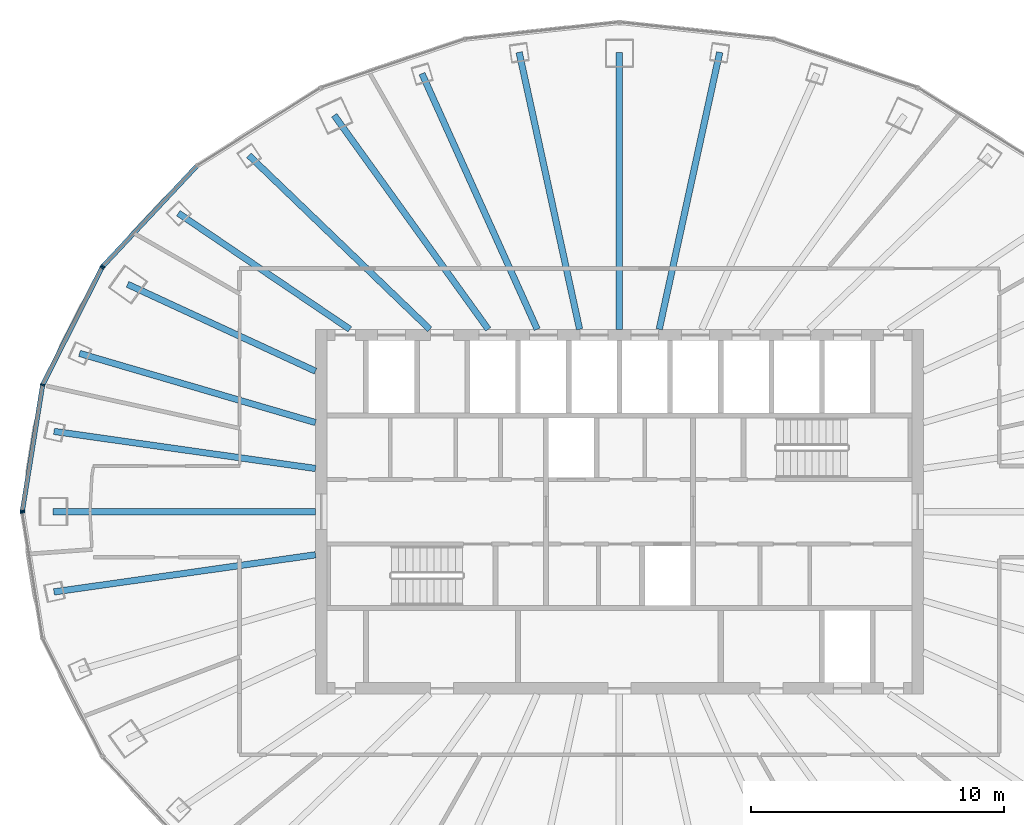
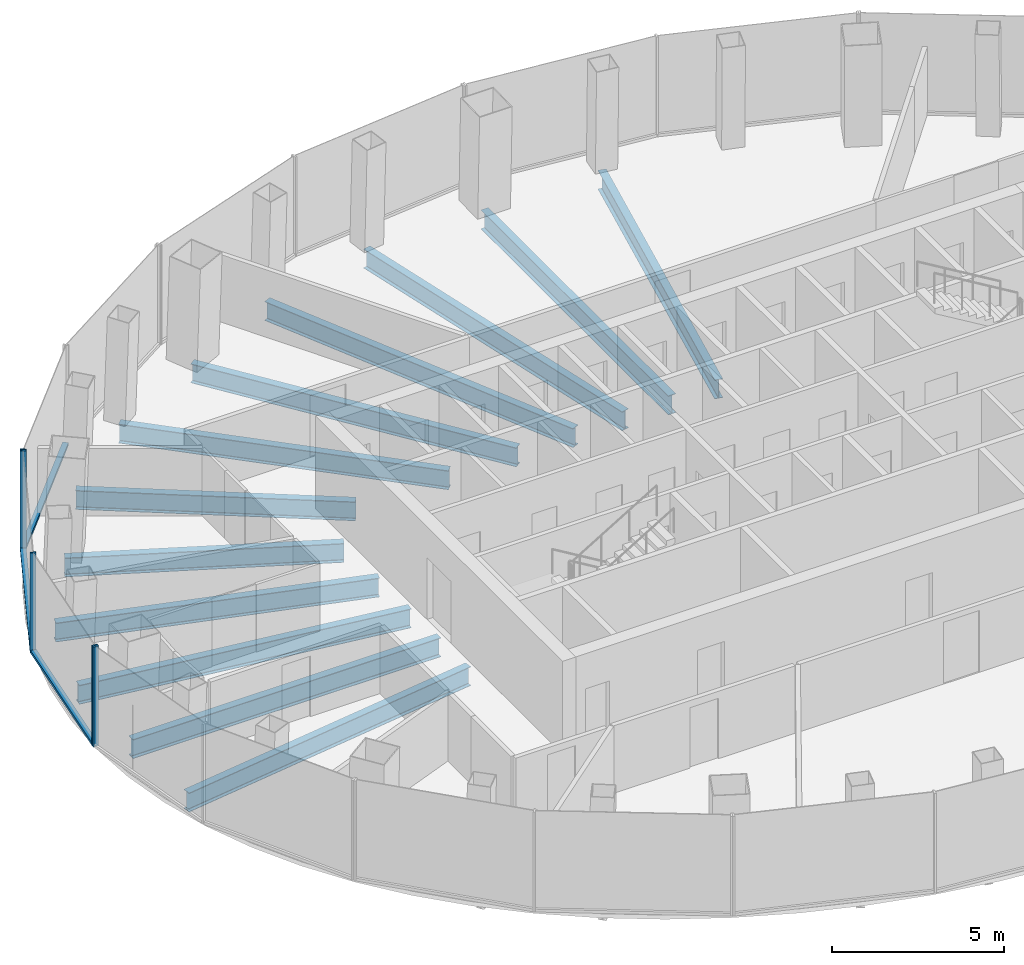
# One storey, part 4 of 13: 12 beams, 8 members, 3 elements without a shape of their own.
"""IFC4 building model written with IfcOpenShell, lengths in metres."""

from ifc_helpers import new_model, si_unit, direction, frame, origin, origin_2d, place, context, subcontext, project, spatial, rectangle, i_section, extrude, material, layer, layer_set, material_profile, profile_set, type_object, element, aggregate, save


model = new_model("IFC4")

# Units and contexts
model_context = context("Model", 3, precision=1e-05, world=origin(), true_north=direction((0.0, 1.0)))
body_context = subcontext(model_context, "Body", "Model", "MODEL_VIEW")
ifc_project = project(units=[si_unit("LENGTHUNIT", "METRE"), si_unit("AREAUNIT", "SQUARE_METRE"), si_unit("VOLUMEUNIT", "CUBIC_METRE"), si_unit("PLANEANGLEUNIT", "RADIAN"), si_unit("MASSUNIT", "GRAM", prefix="KILO")], contexts=[model_context])

# Site, building, storey
site_placement = place(None, origin())
site = spatial("IfcSite", under=ifc_project, at=site_placement, CompositionType="ELEMENT")
building_placement = place(site_placement, origin())
building = spatial("IfcBuilding", under=site, at=building_placement, Name="Siaravel Broadcast Tower", CompositionType="ELEMENT")
storey_placement = place(building_placement, frame((0.0, 0.0, 175.60009765625)))
storey = spatial("IfcBuildingStorey", under=building, at=storey_placement, Name="L42", CompositionType="ELEMENT", Elevation=175.60009765625)

# Beams
ifc_material_1 = material(Name="Steel S355", Category="steel")
ifc_material_profile_1 = material_profile(ifc_material_1, i_section(OverallWidth=0.2529296875, OverallDepth=0.677978515625, WebThickness=0.01171875, FlangeThickness=0.01611328125, FilletRadius=0.01513671875, at=origin_2d()))
ifc_profile_set_1 = profile_set([ifc_material_profile_1], Name="Steel S355")
beam_type = type_object("IfcBeamType", Name="BM-UB 686x254x125", PredefinedType="BEAM", material=ifc_profile_set_1)
beam_1_placement = place(storey_placement, frame((3.960205078125, 18.136474609375, -0.489013671875), z_axis=(-0.213319616, -0.976982467, 0.0), x_axis=(0.976982467, -0.213319616, 0.0)))
element("IfcBeam", 1, at=beam_1_placement, inside=storey, type_object=beam_type, Name="Radial beam RB09", PredefinedType="BEAM", context=body_context, shape_type="SweptSolid", body=[
    extrude(i_section(OverallWidth=0.2529296875, OverallDepth=0.677978515625, WebThickness=0.01171875, FlangeThickness=0.01611328125, FilletRadius=0.01513671875, at=origin_2d()), origin(), (0.0, 0.0, 1.0), 11.194091796875),
])
beam_2_placement = place(storey_placement, frame((0.0, 18.1201171875, -0.489013671875), z_axis=(0.0, -1.0, 0.0), x_axis=(1.0, 0.0, 0.0)))
element("IfcBeam", 2, at=beam_2_placement, inside=storey, type_object=beam_type, Name="Radial beam RB10", PredefinedType="BEAM", context=body_context, shape_type="SweptSolid", body=[
    extrude(i_section(OverallWidth=0.2529296875, OverallDepth=0.677978515625, WebThickness=0.01171875, FlangeThickness=0.01611328125, FilletRadius=0.01513671875, at=origin_2d()), origin(), (0.0, 0.0, 1.0), 10.920166015625),
])
beam_3_placement = place(storey_placement, frame((-3.960205078125, 18.136474609375, -0.489013671875), z_axis=(0.213319616, -0.976982467, 0.0), x_axis=(0.976982467, 0.213319616, 0.0)))
element("IfcBeam", 3, at=beam_3_placement, inside=storey, type_object=beam_type, Name="Radial beam RB11", PredefinedType="BEAM", context=body_context, shape_type="SweptSolid", body=[
    extrude(i_section(OverallWidth=0.2529296875, OverallDepth=0.677978515625, WebThickness=0.01171875, FlangeThickness=0.01611328125, FilletRadius=0.01513671875, at=origin_2d()), origin(), (0.0, 0.0, 1.0), 11.194091796875),
])
beam_4_placement = place(storey_placement, frame((-7.796875, 17.29443359375, -0.489013671875), z_axis=(0.410985242, -0.911641997, 0.0), x_axis=(0.911641997, 0.410985242, 0.0)))
element("IfcBeam", 4, at=beam_4_placement, inside=storey, type_object=beam_type, Name="Radial beam RB12", PredefinedType="BEAM", context=body_context, shape_type="SweptSolid", body=[
    extrude(i_section(OverallWidth=0.2529296875, OverallDepth=0.677978515625, WebThickness=0.01171875, FlangeThickness=0.01611328125, FilletRadius=0.01513671875, at=origin_2d()), origin(), (0.0, 0.0, 1.0), 11.07275390625),
])
beam_5_placement = place(storey_placement, frame((-11.261962890625, 15.650634765625, -0.489013671875), z_axis=(0.584087257, -0.811690875, 0.0), x_axis=(0.811690875, 0.584087257, 0.0)))
element("IfcBeam", 5, at=beam_5_placement, inside=storey, type_object=beam_type, Name="Radial beam RB13", PredefinedType="BEAM", context=body_context, shape_type="SweptSolid", body=[
    extrude(i_section(OverallWidth=0.2529296875, OverallDepth=0.677978515625, WebThickness=0.01171875, FlangeThickness=0.01611328125, FilletRadius=0.01513671875, at=origin_2d()), origin(), (0.0, 0.0, 1.0), 10.4111328125),
])
beam_6_placement = place(storey_placement, frame((-14.629638671875, 14.064208984375, -0.489013671875), z_axis=(0.720896533, -0.693042704, 0.0), x_axis=(0.693042704, 0.720896533, 0.0)))
element("IfcBeam", 6, at=beam_6_placement, inside=storey, type_object=beam_type, Name="Radial beam RB14", PredefinedType="BEAM", context=body_context, shape_type="SweptSolid", body=[
    extrude(i_section(OverallWidth=0.2529296875, OverallDepth=0.677978515625, WebThickness=0.01171875, FlangeThickness=0.01611328125, FilletRadius=0.01513671875, at=origin_2d()), origin(), (0.0, 0.0, 1.0), 9.904541015625),
])
beam_7_placement = place(storey_placement, frame((-17.416015625, 11.781982421875, -0.489013671875), z_axis=(0.828264666, -0.560337079, 0.0), x_axis=(0.560337079, 0.828264666, 0.0)))
element("IfcBeam", 7, at=beam_7_placement, inside=storey, type_object=beam_type, Name="Radial beam RB15", PredefinedType="BEAM", context=body_context, shape_type="SweptSolid", body=[
    extrude(i_section(OverallWidth=0.2529296875, OverallDepth=0.677978515625, WebThickness=0.01171875, FlangeThickness=0.01611328125, FilletRadius=0.01513671875, at=origin_2d()), origin(), (0.0, 0.0, 1.0), 8.17724609375),
])
beam_8_placement = place(storey_placement, frame((-19.421875, 8.976318359375, -0.489013671875), z_axis=(0.907740774, -0.419531509, 0.0), x_axis=(0.419531509, 0.907740774, 0.0)))
element("IfcBeam", 8, at=beam_8_placement, inside=storey, type_object=beam_type, Name="Radial beam RB16", PredefinedType="BEAM", context=body_context, shape_type="SweptSolid", body=[
    extrude(i_section(OverallWidth=0.2529296875, OverallDepth=0.677978515625, WebThickness=0.01171875, FlangeThickness=0.01611328125, FilletRadius=0.01513671875, at=origin_2d()), origin(), (0.0, 0.0, 1.0), 8.17626953125),
])
beam_9_placement = place(storey_placement, frame((-21.318603515625, 6.248779296875, -0.489013671875), z_axis=(0.959624917, -0.28128281, 0.0), x_axis=(0.28128281, 0.959624917, 0.0)))
element("IfcBeam", 9, at=beam_9_placement, inside=storey, type_object=beam_type, Name="Radial beam RB17", PredefinedType="BEAM", context=body_context, shape_type="SweptSolid", body=[
    extrude(i_section(OverallWidth=0.2529296875, OverallDepth=0.677978515625, WebThickness=0.01171875, FlangeThickness=0.01611328125, FilletRadius=0.01513671875, at=origin_2d()), origin(), (0.0, 0.0, 1.0), 9.710693359375),
])
beam_10_placement = place(storey_placement, frame((-22.326171875, 3.169189453125, -0.489013671875), z_axis=(0.990074572, -0.140543024, 0.0), x_axis=(0.140543024, 0.990074572, 0.0)))
element("IfcBeam", 10, at=beam_10_placement, inside=storey, type_object=beam_type, Name="Radial beam RB18", PredefinedType="BEAM", context=body_context, shape_type="SweptSolid", body=[
    extrude(i_section(OverallWidth=0.2529296875, OverallDepth=0.677978515625, WebThickness=0.01171875, FlangeThickness=0.01611328125, FilletRadius=0.01513671875, at=origin_2d()), origin(), (0.0, 0.0, 1.0), 10.4296875),
])
beam_11_placement = place(storey_placement, frame((-22.364501953125, 0.0, -0.489013671875), z_axis=(1.0, 0.0, 0.0), x_axis=(0.0, 1.0, 0.0)))
element("IfcBeam", 11, at=beam_11_placement, inside=storey, type_object=beam_type, Name="Radial beam RB19", PredefinedType="BEAM", context=body_context, shape_type="SweptSolid", body=[
    extrude(i_section(OverallWidth=0.2529296875, OverallDepth=0.677978515625, WebThickness=0.01171875, FlangeThickness=0.01611328125, FilletRadius=0.01513671875, at=origin_2d()), origin(), (0.0, 0.0, 1.0), 10.364501953125),
])
beam_12_placement = place(storey_placement, frame((-22.326171875, -3.169189453125, -0.489013671875), z_axis=(0.990074572, 0.140543024, 0.0), x_axis=(-0.140543024, 0.990074572, 0.0)))
element("IfcBeam", 12, at=beam_12_placement, inside=storey, type_object=beam_type, Name="Radial beam RB20", PredefinedType="BEAM", context=body_context, shape_type="SweptSolid", body=[
    extrude(i_section(OverallWidth=0.2529296875, OverallDepth=0.677978515625, WebThickness=0.01171875, FlangeThickness=0.01611328125, FilletRadius=0.01513671875, at=origin_2d()), origin(), (0.0, 0.0, 1.0), 10.4296875),
])

# Curtain wall, member
ifc_material_2 = material(Name="Aluminium 6063-T6", Category="aluminium")
ifc_layer = layer(ifc_material_2, 0.179931640625)
ifc_layer_set = layer_set([ifc_layer], Name="Aluminium 6063-T6")
curtain_wall_type = type_object("IfcCurtainWallType", Name="Unitised curtain wall, zone 3", PredefinedType="NOTDEFINED", material=ifc_layer_set)
curtain_wall_1_placement = place(storey_placement, origin())
curtain_wall_1 = element("IfcCurtainWall", 13, at=curtain_wall_1_placement, inside=storey, type_object=curtain_wall_type, Name="L42 Unitised curtain wall, zone 3 05", PredefinedType="NOTDEFINED")
ifc_material_profile_2 = material_profile(ifc_material_2, rectangle(XDim=0.179931640625, YDim=0.06005859375, at=origin_2d()))
ifc_profile_set_2 = profile_set([ifc_material_profile_2], Name="Aluminium 6063-T6")
member_type_1 = type_object("IfcMemberType", Name="CW-Z3 mullion", PredefinedType="MULLION", material=ifc_profile_set_2)
member_1_placement = place(storey_placement, frame((-20.396728515625, 9.68701171875, 0.0), z_axis=(0.0, 0.0, 1.0), x_axis=(0.729804878, -0.683655498, 0.0)))
member_1 = element("IfcMember", 14, at=member_1_placement, type_object=member_type_1, Name="CW-Z3 mullion 3", PredefinedType="MULLION", context=body_context, shape_type="SweptSolid", body=[
    extrude(rectangle(XDim=0.179931640625, YDim=0.06005859375, at=origin_2d()), origin(), (0.0, 0.0, 1.0), 3.5498046875),
])

# Curtain wall, members
curtain_wall_2_placement = place(storey_placement, origin())
curtain_wall_2 = element("IfcCurtainWall", 15, at=curtain_wall_2_placement, inside=storey, type_object=curtain_wall_type, Name="L42 Unitised curtain wall, zone 3 06", PredefinedType="NOTDEFINED")
member_2_placement = place(storey_placement, frame((-20.430908203125, 9.63818359375, 0.0), z_axis=(0.0, 0.0, 1.0), x_axis=(0.892391915, -0.4512612, 0.0)))
member_2 = element("IfcMember", 16, at=member_2_placement, type_object=member_type_1, Name="CW-Z3 mullion 1", PredefinedType="MULLION", context=body_context, shape_type="SweptSolid", body=[
    extrude(rectangle(XDim=0.179931640625, YDim=0.06005859375, at=origin_2d()), origin(), (0.0, 0.0, 1.0), 3.5498046875),
])
member_3_placement = place(storey_placement, frame((-22.7744140625, 5.003662109375, 0.0), z_axis=(0.0, 0.0, 1.0), x_axis=(0.951177137, -0.308645515, 0.0)))
member_3 = element("IfcMember", 17, at=member_3_placement, type_object=member_type_1, Name="CW-Z3 mullion 2", PredefinedType="MULLION", context=body_context, shape_type="SweptSolid", body=[
    extrude(rectangle(XDim=0.179931640625, YDim=0.06005859375, at=origin_2d()), origin(), (0.0, 0.0, 1.0), 3.5498046875),
])
member_4_placement = place(storey_placement, frame((-23.573974609375, 0.029541015625, 0.0), z_axis=(0.0, 0.0, 1.0), x_axis=(0.98732916, -0.15868563, 0.0)))
member_4 = element("IfcMember", 18, at=member_4_placement, type_object=member_type_1, Name="CW-Z3 mullion 3", PredefinedType="MULLION", context=body_context, shape_type="SweptSolid", body=[
    extrude(rectangle(XDim=0.179931640625, YDim=0.06005859375, at=origin_2d()), origin(), (0.0, 0.0, 1.0), 3.5498046875),
])

# Curtain wall, member
curtain_wall_3_placement = place(storey_placement, origin())
curtain_wall_3 = element("IfcCurtainWall", 19, at=curtain_wall_3_placement, inside=storey, type_object=curtain_wall_type, Name="L42 Unitised curtain wall, zone 3 07", PredefinedType="NOTDEFINED")
member_5_placement = place(storey_placement, frame((-23.573974609375, -0.029541015625, 0.0), z_axis=(0.0, 0.0, 1.0), x_axis=(0.98732916, 0.15868563, 0.0)))
member_5 = element("IfcMember", 20, at=member_5_placement, type_object=member_type_1, Name="CW-Z3 mullion 1", PredefinedType="MULLION", context=body_context, shape_type="SweptSolid", body=[
    extrude(rectangle(XDim=0.179931640625, YDim=0.06005859375, at=origin_2d()), origin(), (0.0, 0.0, 1.0), 3.5498046875),
])
aggregate(curtain_wall_3, [member_5])

# Member
ifc_material_profile_3 = material_profile(ifc_material_2, rectangle(XDim=0.179931640625, YDim=0.10009765625, at=origin_2d()))
ifc_profile_set_3 = profile_set([ifc_material_profile_3], Name="Aluminium 6063-T6")
member_type_2 = type_object("IfcMemberType", Name="CW-Z3 transom", PredefinedType="USERDEFINED", material=ifc_profile_set_3)
member_6_placement = place(storey_placement, frame((-16.689453125, 13.64453125, 0.0498046875), z_axis=(-0.683663984, -0.729796929, 0.0), x_axis=(0.729796929, -0.683663984, 0.0)))
member_6 = element("IfcMember", 21, at=member_6_placement, type_object=member_type_2, Name="CW-Z3 transom 2", ObjectType="TRANSOM", PredefinedType="USERDEFINED", context=body_context, shape_type="SweptSolid", body=[
    extrude(rectangle(XDim=0.179931640625, YDim=0.10009765625, at=origin_2d()), origin(), (0.0, 0.0, 1.0), 5.392578125),
])

aggregate(curtain_wall_1, [member_1, member_6])

member_7_placement = place(storey_placement, frame((-20.4443359375, 9.611572265625, 0.0498046875), z_axis=(-0.451279947, -0.892382435, 0.0), x_axis=(0.892382435, -0.451279947, 0.0)))
member_7 = element("IfcMember", 22, at=member_7_placement, type_object=member_type_2, Name="CW-Z3 transom 1", ObjectType="TRANSOM", PredefinedType="USERDEFINED", context=body_context, shape_type="SweptSolid", body=[
    extrude(rectangle(XDim=0.179931640625, YDim=0.10009765625, at=origin_2d()), origin(), (0.0, 0.0, 1.0), 5.133544921875),
])

member_8_placement = place(storey_placement, frame((-22.779296875, 4.97412109375, 0.0498046875), z_axis=(-0.158654191, -0.987334213, 0.0), x_axis=(0.987334213, -0.158654191, 0.0)))
member_8 = element("IfcMember", 23, at=member_8_placement, type_object=member_type_2, Name="CW-Z3 transom 2", ObjectType="TRANSOM", PredefinedType="USERDEFINED", context=body_context, shape_type="SweptSolid", body=[
    extrude(rectangle(XDim=0.179931640625, YDim=0.10009765625, at=origin_2d()), origin(), (0.0, 0.0, 1.0), 4.97802734375),
])

aggregate(curtain_wall_2, [member_2, member_3, member_4, member_7, member_8])

save(model, "model.ifc")
